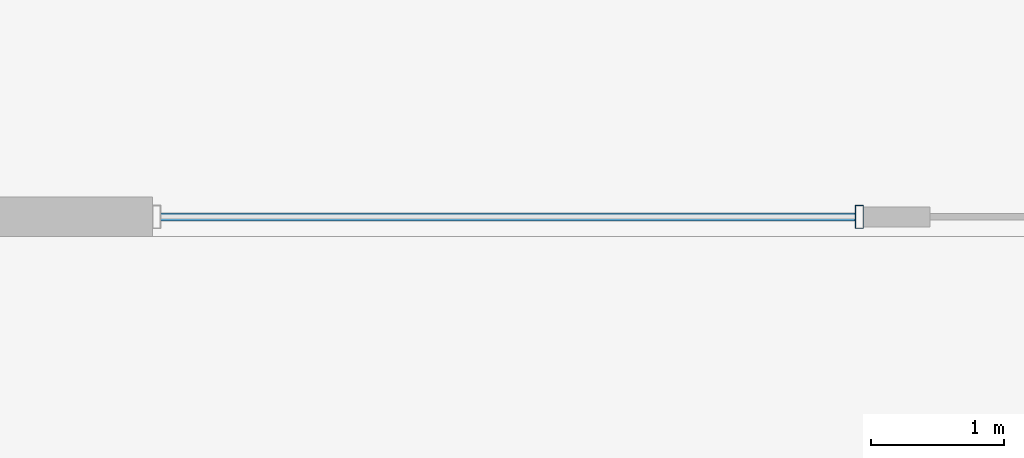
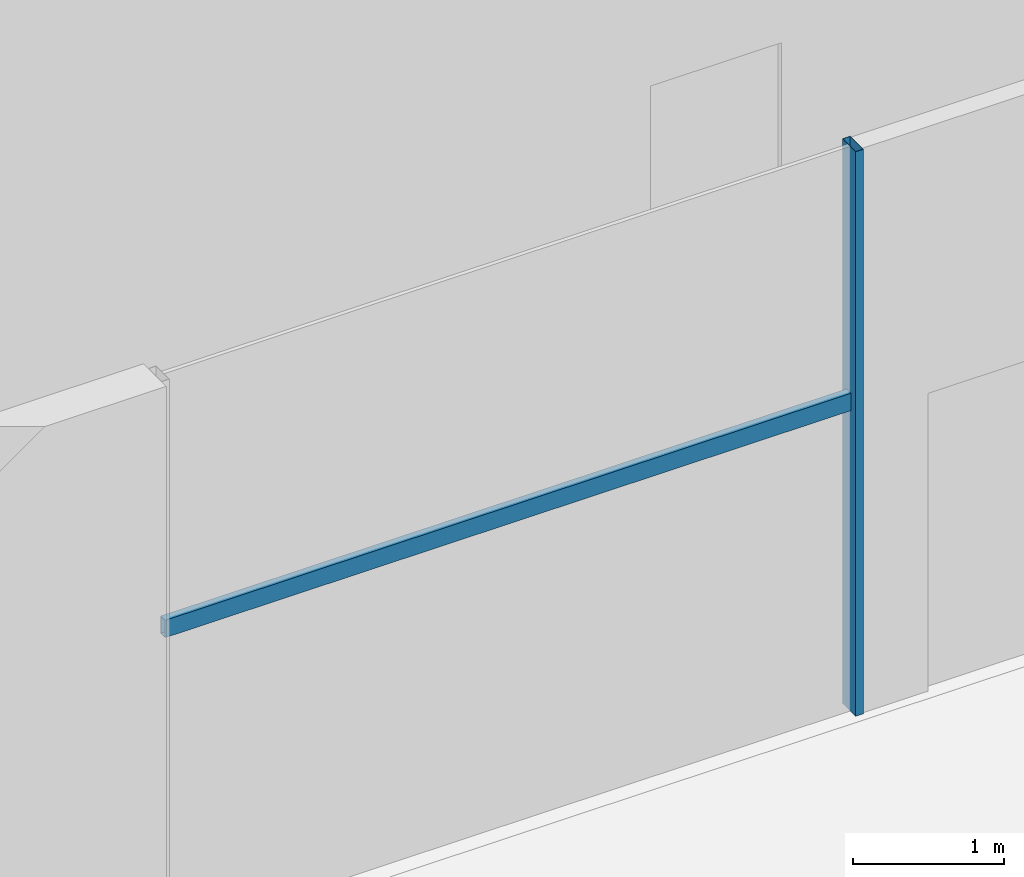
# One storey, part 3 of 49: 2 members, 1 element without a shape of its own.
"""IFC4 building model written with IfcOpenShell, lengths in metres."""

from ifc_helpers import new_model, si_unit, direction, frame, origin, origin_2d, place, context, subcontext, project, spatial, hollow_rectangle, extrude, material, material_profile, profile_set, type_object, element, aggregate, save


model = new_model("IFC4")

# Units and contexts
model_context = context("Model", 3, precision=1e-05, world=origin(), true_north=direction((0.0, 1.0)))
body_context = subcontext(model_context, "Body", "Model", "MODEL_VIEW")
ifc_project = project(units=[si_unit("LENGTHUNIT", "METRE"), si_unit("AREAUNIT", "SQUARE_METRE"), si_unit("VOLUMEUNIT", "CUBIC_METRE"), si_unit("PLANEANGLEUNIT", "RADIAN"), si_unit("MASSUNIT", "GRAM", prefix="KILO")], contexts=[model_context])

# Site, building, storey
site_placement = place(None, origin())
site = spatial("IfcSite", under=ifc_project, at=site_placement, CompositionType="ELEMENT")
building_placement = place(site_placement, origin())
building = spatial("IfcBuilding", under=site, at=building_placement, Name="Altepetl Exchange Towers", CompositionType="ELEMENT")
storey_placement = place(building_placement, frame((0.0, 0.0, 11.5)))
storey = spatial("IfcBuildingStorey", under=building, at=storey_placement, Name="L02 Exchange podium", CompositionType="ELEMENT", Elevation=11.5)

# Curtain wall, members
ifc_material_1 = material(Name="Aluminium 6063-T6 glazing", Category="aluminium")
curtain_wall_type = type_object("IfcCurtainWallType", Name="Podium storefront system", PredefinedType="NOTDEFINED", material=ifc_material_1)
curtain_wall_placement = place(storey_placement, origin())
curtain_wall = element("IfcCurtainWall", 1, at=curtain_wall_placement, inside=storey, type_object=curtain_wall_type, Name="CW5 run", PredefinedType="NOTDEFINED")
ifc_material_2 = material(Name="Aluminium 6063-T6", Category="aluminium")
ifc_material_profile_1 = material_profile(ifc_material_2, hollow_rectangle(XDim=0.06005859375, YDim=0.175048828125, WallThickness=0.0029296875, at=origin_2d()), Name="Mullion 60x175 aluminium")
ifc_profile_set_1 = profile_set([ifc_material_profile_1], Name="Aluminium 6063-T6")
member_type_1 = type_object("IfcMemberType", Name="Mullion 60x175 aluminium", PredefinedType="MULLION", material=ifc_profile_set_1)
member_1_placement = place(storey_placement, frame((41.320068359375, 18.14990234375, 0.0)))
member_1 = element("IfcMember", 2, at=member_1_placement, type_object=member_type_1, Name="MU4 mullion", PredefinedType="MULLION", context=body_context, shape_type="SweptSolid", body=[
    extrude(hollow_rectangle(XDim=0.06005859375, YDim=0.175048828125, WallThickness=0.0029296875, at=origin_2d()), origin(), (0.0, 0.0, 1.0), 4.550048828125),
])
ifc_material_profile_2 = material_profile(ifc_material_2, hollow_rectangle(XDim=0.06005859375, YDim=0.139892578125, WallThickness=0.0029296875, at=origin_2d()), Name="Transom 60x140 aluminium")
ifc_profile_set_2 = profile_set([ifc_material_profile_2], Name="Aluminium 6063-T6")
member_type_2 = type_object("IfcMemberType", Name="Transom 60x140 aluminium", PredefinedType="USERDEFINED", material=ifc_profile_set_2)
member_2_placement = place(storey_placement, frame((36.06005859375, 18.14990234375, 2.5), z_axis=(1.0, 0.0, 0.0), x_axis=(0.0, 1.0, 0.0)))
member_2 = element("IfcMember", 3, at=member_2_placement, type_object=member_type_2, Name="TR3 transom", ObjectType="TRANSOM", PredefinedType="USERDEFINED", context=body_context, shape_type="SweptSolid", body=[
    extrude(hollow_rectangle(XDim=0.06005859375, YDim=0.139892578125, WallThickness=0.0029296875, at=origin_2d()), origin(), (0.0, 0.0, 1.0), 5.22998046875),
])
aggregate(curtain_wall, [member_1, member_2])

save(model, "model.ifc")
